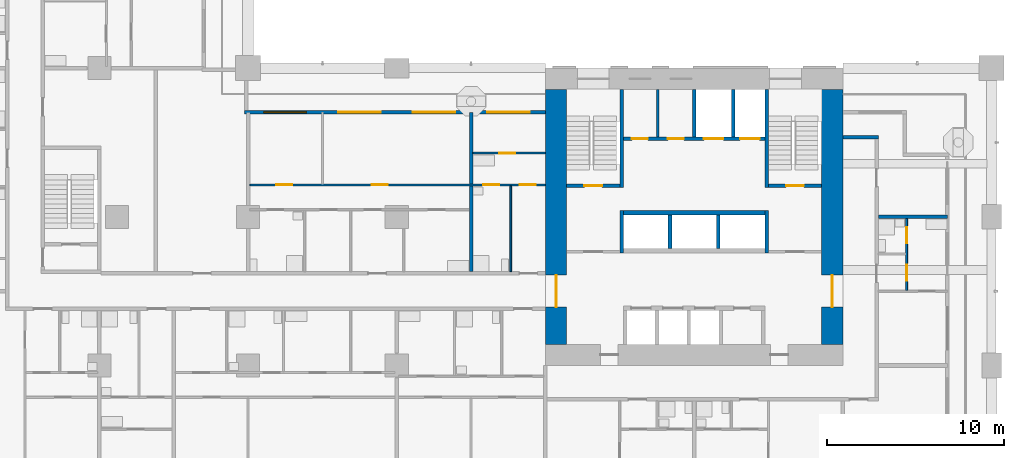
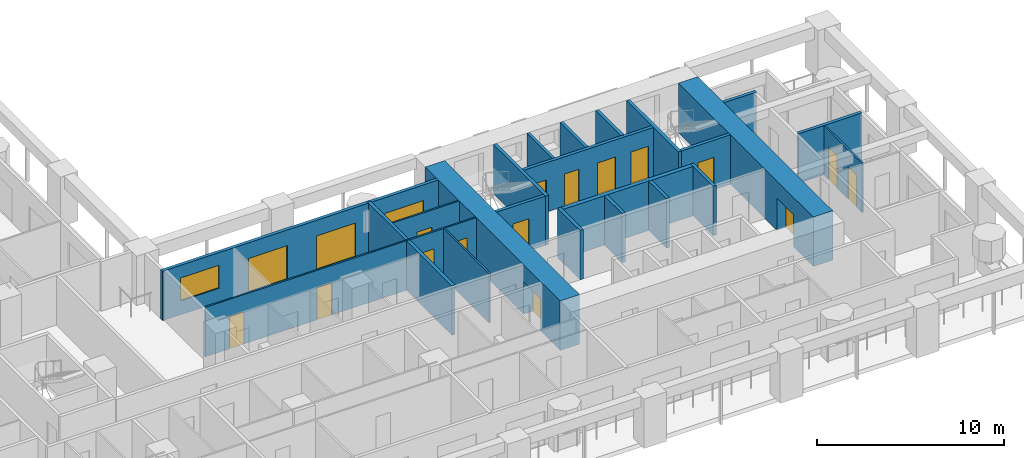
# One storey, part 7 of 21: 23 walls, 18 doors, 1 window, 19 openings.
"""IFC4 building model written with IfcOpenShell, lengths in metres."""

from ifc_helpers import new_model, si_unit, direction, frame, frame_2d, origin, place, context, subcontext, project, spatial, rectangle, extrude, material, layer, layer_set, type_object, element, fill, save


model = new_model("IFC4")

# Units and contexts
model_context = context("Model", 3, precision=1e-05, world=origin(), true_north=direction((0.0, 1.0)))
body_context = subcontext(model_context, "Body", "Model", "MODEL_VIEW")
ifc_project = project(units=[si_unit("LENGTHUNIT", "METRE"), si_unit("AREAUNIT", "SQUARE_METRE"), si_unit("VOLUMEUNIT", "CUBIC_METRE"), si_unit("PLANEANGLEUNIT", "RADIAN"), si_unit("MASSUNIT", "GRAM", prefix="KILO")], contexts=[model_context])

# Site, building, storey
site_placement = place(None, origin())
site = spatial("IfcSite", under=ifc_project, at=site_placement, CompositionType="ELEMENT")
building_placement = place(site_placement, origin())
building = spatial("IfcBuilding", under=site, at=building_placement, Name="Vermilion Gate Residences", CompositionType="ELEMENT")
storey_placement = place(building_placement, frame((0.0, 0.0, 67.199951171875)))
storey = spatial("IfcBuildingStorey", under=building, at=storey_placement, Name="L16", CompositionType="ELEMENT", Elevation=67.199951171875)

# Wall
ifc_material_1 = material(Name="Masonry blockwork", Category="masonry")
ifc_layer_1 = layer(ifc_material_1, 0.14990234375)
ifc_layer_set_1 = layer_set([ifc_layer_1], Name="BLOCKWORK PARTITION 150 EI 120")
wall_type_1 = type_object("IfcWallType", Name="BLOCKWORK PARTITION 150 EI 120", PredefinedType="PARTITIONING", material=ifc_layer_set_1)
wall_1_placement = place(storey_placement, frame((48.35009765625, 21.300048828125, 0.0), z_axis=(0.0, 0.0, 1.0), x_axis=(0.0, 1.0, 0.0)))
element("IfcWall", 1, at=wall_1_placement, inside=storey, type_object=wall_type_1, Name="Core room partition A16-NR-P0", PredefinedType="PARTITIONING", context=body_context, shape_type="SweptSolid", body=[
    extrude(rectangle(XDim=2.699951171875, YDim=0.14990234375, at=frame_2d((1.35009765625, 0.0))), origin(), (0.0, 0.0, 1.0), 3.219970703125),
])

# Wall, openings, doors, window
ifc_material_2 = material(Name="Insulated steel stud wall with terracotta rainscreen", Category="masonry")
ifc_layer_2 = layer(ifc_material_2, 0.199951171875)
ifc_layer_set_2 = layer_set([ifc_layer_2], Name="EXTERNAL WALL 200 TERRACOTTA RAINSCREEN")
wall_type_2 = type_object("IfcWallType", Name="EXTERNAL WALL 200 TERRACOTTA RAINSCREEN", PredefinedType="SOLIDWALL", material=ifc_layer_set_2)
wall_2_placement = place(storey_placement, frame((42.0, 22.699951171875, 0.0), z_axis=(0.0, 0.0, 1.0), x_axis=(-1.0, 0.0, 0.0)))
wall_2 = element("IfcWall", 2, at=wall_2_placement, inside=storey, type_object=wall_type_2, Name="External wall", PredefinedType="SOLIDWALL", context=body_context, shape_type="SweptSolid", body=[
    extrude(rectangle(XDim=17.0, YDim=0.199951171875, at=frame_2d((8.5, 0.0))), origin(), (0.0, 0.0, 1.0), 3.219970703125),
])
opening_1_placement = place(wall_2_placement, frame((13.5, 0.0, 0.89990234375)))
opening_1 = element("IfcOpeningElement", 3, at=opening_1_placement, cuts=wall_2, Name="Opening WE16033", PredefinedType="OPENING", context=body_context, shape_type="SweptSolid", body=[
    extrude(rectangle(XDim=2.39990234375, YDim=1.5, at=frame_2d((1.199951171875, 0.75))), frame((0.0, 0.10986328125, 0.0), z_axis=(0.0, -1.0, 0.0), x_axis=(1.0, 0.0, 0.0)), (0.0, 0.0, 1.0), 0.219970703125),
])
opening_2_placement = place(wall_2_placement, frame((9.300048828125, 0.0, 0.0)))
opening_2 = element("IfcOpeningElement", 4, at=opening_2_placement, cuts=wall_2, Name="Opening DE16034", PredefinedType="OPENING", context=body_context, shape_type="SweptSolid", body=[
    extrude(rectangle(XDim=2.39990234375, YDim=2.199951171875, at=frame_2d((1.199951171875, 1.10009765625))), frame((0.0, 0.10986328125, 0.0), z_axis=(0.0, -1.0, 0.0), x_axis=(1.0, 0.0, 0.0)), (0.0, 0.0, 1.0), 0.219970703125),
])
opening_3_placement = place(wall_2_placement, frame((5.10009765625, 0.0, 0.0)))
opening_3 = element("IfcOpeningElement", 5, at=opening_3_placement, cuts=wall_2, Name="Opening DE16035", PredefinedType="OPENING", context=body_context, shape_type="SweptSolid", body=[
    extrude(rectangle(XDim=2.39990234375, YDim=2.199951171875, at=frame_2d((1.199951171875, 1.10009765625))), frame((0.0, 0.10986328125, 0.0), z_axis=(0.0, -1.0, 0.0), x_axis=(1.0, 0.0, 0.0)), (0.0, 0.0, 1.0), 0.219970703125),
])
opening_4_placement = place(wall_2_placement, frame((0.89990234375, 0.0, 0.0)))
opening_4 = element("IfcOpeningElement", 6, at=opening_4_placement, cuts=wall_2, Name="Opening DE16036", PredefinedType="OPENING", context=body_context, shape_type="SweptSolid", body=[
    extrude(rectangle(XDim=2.39990234375, YDim=2.199951171875, at=frame_2d((1.199951171875, 1.10009765625))), frame((0.0, 0.10986328125, 0.0), z_axis=(0.0, -1.0, 0.0), x_axis=(1.0, 0.0, 0.0)), (0.0, 0.0, 1.0), 0.219970703125),
])
ifc_material_3 = material(Name="Aluminium and clear glass", Category="aluminium")
door_type_1 = type_object("IfcDoorType", Name="SLIDING GLAZED DOOR 2400 X 2200", OperationType="DOUBLE_DOOR_SLIDING", PredefinedType="DOOR", material=ifc_material_3)
door_1_placement = place(opening_2_placement, origin())
door_1 = element("IfcDoor", 7, at=door_1_placement, inside=storey, type_object=door_type_1, Name="Loggia sliding door", OperationType="DOUBLE_DOOR_SLIDING", OverallHeight=2.199951171875, OverallWidth=2.39990234375, PredefinedType="DOOR", context=body_context, shape_type="SweptSolid", body=[
    extrude(rectangle(XDim=2.39990234375, YDim=2.199951171875, at=frame_2d((1.199951171875, 1.10009765625))), frame((0.0, 0.02490234375, 0.0), z_axis=(0.0, -1.0, 0.0), x_axis=(1.0, 0.0, 0.0)), (0.0, 0.0, 1.0), 0.050048828125),
])
fill(opening_2, door_1)
door_2_placement = place(opening_3_placement, origin())
door_2 = element("IfcDoor", 8, at=door_2_placement, inside=storey, type_object=door_type_1, Name="Loggia sliding door", OperationType="DOUBLE_DOOR_SLIDING", OverallHeight=2.199951171875, OverallWidth=2.39990234375, PredefinedType="DOOR", context=body_context, shape_type="SweptSolid", body=[
    extrude(rectangle(XDim=2.39990234375, YDim=2.199951171875, at=frame_2d((1.199951171875, 1.10009765625))), frame((0.0, 0.02490234375, 0.0), z_axis=(0.0, -1.0, 0.0), x_axis=(1.0, 0.0, 0.0)), (0.0, 0.0, 1.0), 0.050048828125),
])
fill(opening_3, door_2)
door_3_placement = place(opening_4_placement, origin())
door_3 = element("IfcDoor", 9, at=door_3_placement, inside=storey, type_object=door_type_1, Name="Loggia sliding door", OperationType="DOUBLE_DOOR_SLIDING", OverallHeight=2.199951171875, OverallWidth=2.39990234375, PredefinedType="DOOR", context=body_context, shape_type="SweptSolid", body=[
    extrude(rectangle(XDim=2.39990234375, YDim=2.199951171875, at=frame_2d((1.199951171875, 1.10009765625))), frame((0.0, 0.02490234375, 0.0), z_axis=(0.0, -1.0, 0.0), x_axis=(1.0, 0.0, 0.0)), (0.0, 0.0, 1.0), 0.050048828125),
])
fill(opening_4, door_3)
ifc_material_4 = material(Name="Aluminium and clear glass", Category="aluminium")
window_type = type_object("IfcWindowType", Name="WINDOW 2400 X 1500", PartitioningType="SINGLE_PANEL", PredefinedType="WINDOW", material=ifc_material_4)
window_placement = place(opening_1_placement, origin())
window = element("IfcWindow", 10, at=window_placement, inside=storey, type_object=window_type, Name="Window", OverallHeight=1.5, OverallWidth=2.39990234375, PartitioningType="SINGLE_PANEL", PredefinedType="WINDOW", context=body_context, shape_type="SweptSolid", body=[
    extrude(rectangle(XDim=2.39990234375, YDim=1.5, at=frame_2d((1.199951171875, 0.75))), frame((0.0, 0.030029296875, 0.0), z_axis=(0.0, -1.0, 0.0), x_axis=(1.0, 0.0, 0.0)), (0.0, 0.0, 1.0), 0.06005859375),
])
fill(opening_1, window)

# Wall, openings, doors
ifc_material_5 = material(Name="Plasterboard on steel studs", Category="steel")
ifc_layer_3 = layer(ifc_material_5, 0.10009765625)
ifc_layer_set_3 = layer_set([ifc_layer_3], Name="PARTITION 100")
wall_type_3 = type_object("IfcWallType", Name="PARTITION 100", PredefinedType="PARTITIONING", material=ifc_layer_set_3)
wall_3_placement = place(storey_placement, frame((25.300048828125, 18.60009765625, 0.0), z_axis=(0.0, 0.0, 1.0), x_axis=(1.0, 0.0, 0.0)))
wall_3 = element("IfcWall", 11, at=wall_3_placement, inside=storey, type_object=wall_type_3, Name="Partition", PredefinedType="PARTITIONING", context=body_context, shape_type="SweptSolid", body=[
    extrude(rectangle(XDim=16.699951171875, YDim=0.10009765625, at=frame_2d((8.35009765625, 0.0))), origin(), (0.0, 0.0, 1.0), 3.219970703125),
])
opening_5_placement = place(wall_3_placement, frame((1.5, 0.0, 0.0)))
opening_5 = element("IfcOpeningElement", 12, at=opening_5_placement, cuts=wall_3, Name="Opening DA16037", PredefinedType="OPENING", context=body_context, shape_type="SweptSolid", body=[
    extrude(rectangle(XDim=0.89990234375, YDim=2.10009765625, at=frame_2d((0.449951171875, 1.050048828125))), frame((0.0, 0.06005859375, 0.0), z_axis=(0.0, -1.0, 0.0), x_axis=(1.0, 0.0, 0.0)), (0.0, 0.0, 1.0), 0.1201171875),
])
opening_6_placement = place(wall_3_placement, frame((6.89990234375, 0.0, 0.0)))
opening_6 = element("IfcOpeningElement", 13, at=opening_6_placement, cuts=wall_3, Name="Opening DA16038", PredefinedType="OPENING", context=body_context, shape_type="SweptSolid", body=[
    extrude(rectangle(XDim=0.89990234375, YDim=2.10009765625, at=frame_2d((0.449951171875, 1.050048828125))), frame((0.0, 0.06005859375, 0.0), z_axis=(0.0, -1.0, 0.0), x_axis=(1.0, 0.0, 0.0)), (0.0, 0.0, 1.0), 0.1201171875),
])
opening_7_placement = place(wall_3_placement, frame((15.239990234375, 0.0, 0.0)))
opening_7 = element("IfcOpeningElement", 14, at=opening_7_placement, cuts=wall_3, Name="Opening DA16039", PredefinedType="OPENING", context=body_context, shape_type="SweptSolid", body=[
    extrude(rectangle(XDim=0.89990234375, YDim=2.10009765625, at=frame_2d((0.449951171875, 1.050048828125))), frame((0.0, 0.06005859375, 0.0), z_axis=(0.0, -1.0, 0.0), x_axis=(1.0, 0.0, 0.0)), (0.0, 0.0, 1.0), 0.1201171875),
])
opening_8_placement = place(wall_3_placement, frame((13.199951171875, 0.0, 0.0)))
opening_8 = element("IfcOpeningElement", 15, at=opening_8_placement, cuts=wall_3, Name="Opening DA16040", PredefinedType="OPENING", context=body_context, shape_type="SweptSolid", body=[
    extrude(rectangle(XDim=0.89990234375, YDim=2.10009765625, at=frame_2d((0.449951171875, 1.050048828125))), frame((0.0, 0.06005859375, 0.0), z_axis=(0.0, -1.0, 0.0), x_axis=(1.0, 0.0, 0.0)), (0.0, 0.0, 1.0), 0.1201171875),
])
ifc_material_6 = material(Name="Timber", Category="wood")
door_type_2 = type_object("IfcDoorType", Name="INTERIOR DOOR 900 X 2100", OperationType="SINGLE_SWING_LEFT", PredefinedType="DOOR", material=ifc_material_6)
door_4_placement = place(opening_5_placement, origin())
door_4 = element("IfcDoor", 16, at=door_4_placement, inside=storey, type_object=door_type_2, Name="Interior door", OperationType="SINGLE_SWING_LEFT", OverallHeight=2.10009765625, OverallWidth=0.89990234375, PredefinedType="DOOR", context=body_context, shape_type="SweptSolid", body=[
    extrude(rectangle(XDim=0.89990234375, YDim=2.10009765625, at=frame_2d((0.449951171875, 1.050048828125))), frame((0.0, 0.02490234375, 0.0), z_axis=(0.0, -1.0, 0.0), x_axis=(1.0, 0.0, 0.0)), (0.0, 0.0, 1.0), 0.050048828125),
])
fill(opening_5, door_4)
door_5_placement = place(opening_6_placement, origin())
door_5 = element("IfcDoor", 17, at=door_5_placement, inside=storey, type_object=door_type_2, Name="Interior door", OperationType="SINGLE_SWING_LEFT", OverallHeight=2.10009765625, OverallWidth=0.89990234375, PredefinedType="DOOR", context=body_context, shape_type="SweptSolid", body=[
    extrude(rectangle(XDim=0.89990234375, YDim=2.10009765625, at=frame_2d((0.449951171875, 1.050048828125))), frame((0.0, 0.02490234375, 0.0), z_axis=(0.0, -1.0, 0.0), x_axis=(1.0, 0.0, 0.0)), (0.0, 0.0, 1.0), 0.050048828125),
])
fill(opening_6, door_5)
door_6_placement = place(opening_7_placement, origin())
door_6 = element("IfcDoor", 18, at=door_6_placement, inside=storey, type_object=door_type_2, Name="Interior door", OperationType="SINGLE_SWING_RIGHT", OverallHeight=2.10009765625, OverallWidth=0.89990234375, PredefinedType="DOOR", context=body_context, shape_type="SweptSolid", body=[
    extrude(rectangle(XDim=0.89990234375, YDim=2.10009765625, at=frame_2d((0.449951171875, 1.050048828125))), frame((0.0, 0.02490234375, 0.0), z_axis=(0.0, -1.0, 0.0), x_axis=(1.0, 0.0, 0.0)), (0.0, 0.0, 1.0), 0.050048828125),
])
fill(opening_7, door_6)
door_7_placement = place(opening_8_placement, origin())
door_7 = element("IfcDoor", 19, at=door_7_placement, inside=storey, type_object=door_type_2, Name="Interior door", OperationType="SINGLE_SWING_LEFT", OverallHeight=2.10009765625, OverallWidth=0.89990234375, PredefinedType="DOOR", context=body_context, shape_type="SweptSolid", body=[
    extrude(rectangle(XDim=0.89990234375, YDim=2.10009765625, at=frame_2d((0.449951171875, 1.050048828125))), frame((0.0, 0.02490234375, 0.0), z_axis=(0.0, -1.0, 0.0), x_axis=(1.0, 0.0, 0.0)), (0.0, 0.0, 1.0), 0.050048828125),
])
fill(opening_8, door_7)

# Wall, opening, door
wall_4_placement = place(storey_placement, frame((37.89990234375, 20.39990234375, 0.0), z_axis=(0.0, 0.0, 1.0), x_axis=(1.0, 0.0, 0.0)))
wall_4 = element("IfcWall", 20, at=wall_4_placement, inside=storey, type_object=wall_type_3, Name="Partition", PredefinedType="PARTITIONING", context=body_context, shape_type="SweptSolid", body=[
    extrude(rectangle(XDim=4.10009765625, YDim=0.10009765625, at=frame_2d((2.050048828125, 0.0))), origin(), (0.0, 0.0, 1.0), 3.219970703125),
])
opening_9_placement = place(wall_4_placement, frame((1.5, 0.0, 0.0)))
opening_9 = element("IfcOpeningElement", 21, at=opening_9_placement, cuts=wall_4, Name="Opening DA16041", PredefinedType="OPENING", context=body_context, shape_type="SweptSolid", body=[
    extrude(rectangle(XDim=0.89990234375, YDim=2.10009765625, at=frame_2d((0.449951171875, 1.050048828125))), frame((0.0, 0.06005859375, 0.0), z_axis=(0.0, -1.0, 0.0), x_axis=(1.0, 0.0, 0.0)), (0.0, 0.0, 1.0), 0.1201171875),
])
door_8_placement = place(opening_9_placement, frame((0.89990234375, 0.0, 0.0), z_axis=(0.0, 0.0, 1.0), x_axis=(-1.0, 0.0, 0.0)))
door_8 = element("IfcDoor", 22, at=door_8_placement, inside=storey, type_object=door_type_2, Name="Interior door", OperationType="SINGLE_SWING_RIGHT", OverallHeight=2.10009765625, OverallWidth=0.89990234375, PredefinedType="DOOR", context=body_context, shape_type="SweptSolid", body=[
    extrude(rectangle(XDim=0.89990234375, YDim=2.10009765625, at=frame_2d((0.449951171875, 1.050048828125))), frame((0.0, 0.02490234375, 0.0), z_axis=(0.0, -1.0, 0.0), x_axis=(1.0, 0.0, 0.0)), (0.0, 0.0, 1.0), 0.050048828125),
])
fill(opening_9, door_8)

# Wall
wall_5_placement = place(storey_placement, frame((40.0400390625, 13.699951171875, 0.0), z_axis=(0.0, 0.0, 1.0), x_axis=(0.0, 1.0, 0.0)))
element("IfcWall", 23, at=wall_5_placement, inside=storey, type_object=wall_type_3, Name="Partition", PredefinedType="PARTITIONING", context=body_context, shape_type="SweptSolid", body=[
    extrude(rectangle(XDim=4.85009765625, YDim=0.10009765625, at=frame_2d((2.425048828125, 0.0))), origin(), (0.0, 0.0, 1.0), 3.219970703125),
])

# Wall, openings, doors
wall_6_placement = place(storey_placement, frame((62.39990234375, 12.64990234375, 0.0), z_axis=(0.0, 0.0, 1.0), x_axis=(0.0, 1.0, 0.0)))
wall_6 = element("IfcWall", 24, at=wall_6_placement, inside=storey, type_object=wall_type_3, Name="Partition", PredefinedType="PARTITIONING", context=body_context, shape_type="SweptSolid", body=[
    extrude(rectangle(XDim=4.050048828125, YDim=0.10009765625, at=frame_2d((2.02490234375, 0.0))), origin(), (0.0, 0.0, 1.0), 3.219970703125),
])
opening_10_placement = place(wall_6_placement, frame((0.550048828125, 0.0, 0.0)))
opening_10 = element("IfcOpeningElement", 25, at=opening_10_placement, cuts=wall_6, Name="Opening DA16085", PredefinedType="OPENING", context=body_context, shape_type="SweptSolid", body=[
    extrude(rectangle(XDim=0.89990234375, YDim=2.10009765625, at=frame_2d((0.449951171875, 1.050048828125))), frame((0.0, 0.06005859375, 0.0), z_axis=(0.0, -1.0, 0.0), x_axis=(1.0, 0.0, 0.0)), (0.0, 0.0, 1.0), 0.1201171875),
])
opening_11_placement = place(wall_6_placement, frame((2.64990234375, 0.0, 0.0)))
opening_11 = element("IfcOpeningElement", 26, at=opening_11_placement, cuts=wall_6, Name="Opening DA16086", PredefinedType="OPENING", context=body_context, shape_type="SweptSolid", body=[
    extrude(rectangle(XDim=0.89990234375, YDim=2.10009765625, at=frame_2d((0.449951171875, 1.050048828125))), frame((0.0, 0.06005859375, 0.0), z_axis=(0.0, -1.0, 0.0), x_axis=(1.0, 0.0, 0.0)), (0.0, 0.0, 1.0), 0.1201171875),
])
door_9_placement = place(opening_10_placement, frame((0.89990234375, 0.0, 0.0), z_axis=(0.0, 0.0, 1.0), x_axis=(-1.0, 0.0, 0.0)))
door_9 = element("IfcDoor", 27, at=door_9_placement, inside=storey, type_object=door_type_2, Name="Interior door", OperationType="SINGLE_SWING_RIGHT", OverallHeight=2.10009765625, OverallWidth=0.89990234375, PredefinedType="DOOR", context=body_context, shape_type="SweptSolid", body=[
    extrude(rectangle(XDim=0.89990234375, YDim=2.10009765625, at=frame_2d((0.449951171875, 1.050048828125))), frame((0.0, 0.02490234375, 0.0), z_axis=(0.0, -1.0, 0.0), x_axis=(1.0, 0.0, 0.0)), (0.0, 0.0, 1.0), 0.050048828125),
])
fill(opening_10, door_9)
door_10_placement = place(opening_11_placement, origin())
door_10 = element("IfcDoor", 28, at=door_10_placement, inside=storey, type_object=door_type_2, Name="Interior door", OperationType="SINGLE_SWING_RIGHT", OverallHeight=2.10009765625, OverallWidth=0.89990234375, PredefinedType="DOOR", context=body_context, shape_type="SweptSolid", body=[
    extrude(rectangle(XDim=0.89990234375, YDim=2.10009765625, at=frame_2d((0.449951171875, 1.050048828125))), frame((0.0, 0.02490234375, 0.0), z_axis=(0.0, -1.0, 0.0), x_axis=(1.0, 0.0, 0.0)), (0.0, 0.0, 1.0), 0.050048828125),
])
fill(opening_11, door_10)

# Walls
ifc_material_7 = material(Name="Fire-rated plasterboard on steel studs", Category="steel")
ifc_layer_4 = layer(ifc_material_7, 0.199951171875)
ifc_layer_set_4 = layer_set([ifc_layer_4], Name="PARTY WALL 200 EI 120")
wall_type_4 = type_object("IfcWallType", Name="PARTY WALL 200 EI 120", PredefinedType="PARTITIONING", material=ifc_layer_set_4)
wall_7_placement = place(storey_placement, frame((60.800048828125, 16.800048828125, 0.0), z_axis=(0.0, 0.0, 1.0), x_axis=(1.0, 0.0, 0.0)))
element("IfcWall", 29, at=wall_7_placement, inside=storey, type_object=wall_type_4, Name="Party and corridor wall", PredefinedType="PARTITIONING", context=body_context, shape_type="SweptSolid", body=[
    extrude(rectangle(XDim=3.89990234375, YDim=0.199951171875, at=frame_2d((1.949951171875, 0.0))), origin(), (0.0, 0.0, 1.0), 3.219970703125),
])
wall_8_placement = place(storey_placement, frame((58.800048828125, 21.300048828125, 0.0), z_axis=(0.0, 0.0, 1.0), x_axis=(1.0, 0.0, 0.0)))
element("IfcWall", 30, at=wall_8_placement, inside=storey, type_object=wall_type_4, Name="Party and corridor wall", PredefinedType="PARTITIONING", context=body_context, shape_type="SweptSolid", body=[
    extrude(rectangle(XDim=2.0, YDim=0.199951171875, at=frame_2d((1.0, 0.0))), origin(), (0.0, 0.0, 1.0), 3.219970703125),
])
wall_9_placement = place(storey_placement, frame((37.800048828125, 13.699951171875, 0.0), z_axis=(0.0, 0.0, 1.0), x_axis=(0.0, 1.0, 0.0)))
element("IfcWall", 31, at=wall_9_placement, inside=storey, type_object=wall_type_4, Name="Party and corridor wall", PredefinedType="PARTITIONING", context=body_context, shape_type="SweptSolid", body=[
    extrude(rectangle(XDim=9.0, YDim=0.199951171875, at=frame_2d((4.5, 0.0))), origin(), (0.0, 0.0, 1.0), 3.219970703125),
])
ifc_material_8 = material(Name="Concrete C60", Category="concrete")
ifc_layer_5 = layer(ifc_material_8, 0.199951171875)
ifc_layer_set_5 = layer_set([ifc_layer_5], Name="RC CORE INTERNAL WALL 200 C60")
wall_type_5 = type_object("IfcWallType", Name="RC CORE INTERNAL WALL 200 C60", PredefinedType="SHEAR", material=ifc_layer_set_5)
for number, where, z_axis, x_axis, name in (
    (32, (49.033447265625, 15.0, 0.0), (0.0, 0.0, 1.0), (0.0, 1.0, 0.0), "Core internal wall A16-HR-D1"),
    (33, (51.7666015625, 15.0, 0.0), (0.0, 0.0, 1.0), (0.0, 1.0, 0.0), "Core internal wall A16-HR-D2"),
):
    element("IfcWall", number, at=place(storey_placement, frame(where, z_axis=z_axis, x_axis=x_axis)), inside=storey, type_object=wall_type_5, Name=name, PredefinedType="SHEAR", context=body_context, shape_type="SweptSolid", body=[
        extrude(rectangle(XDim=1.89990234375, YDim=0.199951171875, at=frame_2d((0.949951171875, 0.0))), origin(), (0.0, 0.0, 1.0), 3.219970703125),
    ])
for number, where, z_axis, x_axis, name in (
    (34, (50.39990234375, 21.300048828125, 0.0), (0.0, 0.0, 1.0), (0.0, 1.0, 0.0), "Core internal wall A16-FF-D0"),
    (35, (52.60009765625, 21.300048828125, 0.0), (0.0, 0.0, 1.0), (0.0, 1.0, 0.0), "Core internal wall A16-FF-D1"),
):
    element("IfcWall", number, at=place(storey_placement, frame(where, z_axis=z_axis, x_axis=x_axis)), inside=storey, type_object=wall_type_5, Name=name, PredefinedType="SHEAR", context=body_context, shape_type="SweptSolid", body=[
        extrude(rectangle(XDim=2.699951171875, YDim=0.199951171875, at=frame_2d((1.35009765625, 0.0))), origin(), (0.0, 0.0, 1.0), 3.219970703125),
    ])

# Wall, openings, doors
wall_10_placement = place(storey_placement, frame((46.39990234375, 21.199951171875, 0.0), z_axis=(0.0, 0.0, 1.0), x_axis=(1.0, 0.0, 0.0)))
wall_10 = element("IfcWall", 36, at=wall_10_placement, inside=storey, type_object=wall_type_5, Name="Core internal wall A16-FF-F", PredefinedType="SHEAR", context=body_context, shape_type="SweptSolid", body=[
    extrude(rectangle(XDim=8.0, YDim=0.199951171875, at=frame_2d((4.0, 0.0))), origin(), (0.0, 0.0, 1.0), 3.219970703125),
])
opening_12_placement = place(wall_10_placement, frame((0.487548828125, 0.0, 0.0)))
opening_12 = element("IfcOpeningElement", 37, at=opening_12_placement, cuts=wall_10, Name="Opening DK16009", PredefinedType="OPENING", context=body_context, shape_type="SweptSolid", body=[
    extrude(rectangle(XDim=0.89990234375, YDim=2.10009765625, at=frame_2d((0.449951171875, 1.050048828125))), frame((0.0, 0.10986328125, 0.0), z_axis=(0.0, -1.0, 0.0), x_axis=(1.0, 0.0, 0.0)), (0.0, 0.0, 1.0), 0.219970703125),
])
opening_13_placement = place(wall_10_placement, frame((2.512451171875, 0.0, 0.0)))
opening_13 = element("IfcOpeningElement", 38, at=opening_13_placement, cuts=wall_10, Name="Opening DK16010", PredefinedType="OPENING", context=body_context, shape_type="SweptSolid", body=[
    extrude(rectangle(XDim=0.89990234375, YDim=2.10009765625, at=frame_2d((0.449951171875, 1.050048828125))), frame((0.0, 0.10986328125, 0.0), z_axis=(0.0, -1.0, 0.0), x_axis=(1.0, 0.0, 0.0)), (0.0, 0.0, 1.0), 0.219970703125),
])
opening_14_placement = place(wall_10_placement, frame((4.550048828125, 0.0, 0.0)))
opening_14 = element("IfcOpeningElement", 39, at=opening_14_placement, cuts=wall_10, Name="Opening LD", PredefinedType="OPENING", context=body_context, shape_type="SweptSolid", body=[
    extrude(rectangle(XDim=1.10009765625, YDim=2.10009765625, at=frame_2d((0.550048828125, 1.050048828125))), frame((0.0, 0.10986328125, 0.0), z_axis=(0.0, -1.0, 0.0), x_axis=(1.0, 0.0, 0.0)), (0.0, 0.0, 1.0), 0.219970703125),
])
opening_15_placement = place(wall_10_placement, frame((6.60009765625, 0.0, 0.0)))
opening_15 = element("IfcOpeningElement", 40, at=opening_15_placement, cuts=wall_10, Name="Opening LD", PredefinedType="OPENING", context=body_context, shape_type="SweptSolid", body=[
    extrude(rectangle(XDim=1.10009765625, YDim=2.10009765625, at=frame_2d((0.550048828125, 1.050048828125))), frame((0.0, 0.10986328125, 0.0), z_axis=(0.0, -1.0, 0.0), x_axis=(1.0, 0.0, 0.0)), (0.0, 0.0, 1.0), 0.219970703125),
])
ifc_material_9 = material(Name="Stainless steel", Category="steel")
door_type_3 = type_object("IfcDoorType", Name="LIFT LANDING DOOR E60 1100 X 2100", OperationType="DOUBLE_DOOR_SLIDING", PredefinedType="DOOR", material=ifc_material_9)
door_11_placement = place(opening_14_placement, origin())
door_11 = element("IfcDoor", 41, at=door_11_placement, inside=storey, type_object=door_type_3, Name="Lift landing door LFA1", OperationType="DOUBLE_DOOR_SLIDING", OverallHeight=2.10009765625, OverallWidth=1.10009765625, PredefinedType="DOOR", context=body_context, shape_type="SweptSolid", body=[
    extrude(rectangle(XDim=1.10009765625, YDim=2.10009765625, at=frame_2d((0.550048828125, 1.050048828125))), frame((0.0, 0.02490234375, 0.0), z_axis=(0.0, -1.0, 0.0), x_axis=(1.0, 0.0, 0.0)), (0.0, 0.0, 1.0), 0.050048828125),
])
fill(opening_14, door_11)
door_12_placement = place(opening_15_placement, origin())
door_12 = element("IfcDoor", 42, at=door_12_placement, inside=storey, type_object=door_type_3, Name="Lift landing door LCA1", OperationType="DOUBLE_DOOR_SLIDING", OverallHeight=2.10009765625, OverallWidth=1.10009765625, PredefinedType="DOOR", context=body_context, shape_type="SweptSolid", body=[
    extrude(rectangle(XDim=1.10009765625, YDim=2.10009765625, at=frame_2d((0.550048828125, 1.050048828125))), frame((0.0, 0.02490234375, 0.0), z_axis=(0.0, -1.0, 0.0), x_axis=(1.0, 0.0, 0.0)), (0.0, 0.0, 1.0), 0.050048828125),
])
fill(opening_15, door_12)
ifc_material_10 = material(Name="Steel", Category="steel")
door_type_4 = type_object("IfcDoorType", Name="SERVICE ROOM DOOR FD60 900 X 2100", OperationType="SINGLE_SWING_LEFT", PredefinedType="DOOR", material=ifc_material_10)
door_13_placement = place(opening_12_placement, origin())
door_13 = element("IfcDoor", 43, at=door_13_placement, inside=storey, type_object=door_type_4, Name="Electrical riser A16", OperationType="SINGLE_SWING_LEFT", OverallHeight=2.10009765625, OverallWidth=0.89990234375, PredefinedType="DOOR", context=body_context, shape_type="SweptSolid", body=[
    extrude(rectangle(XDim=0.89990234375, YDim=2.10009765625, at=frame_2d((0.449951171875, 1.050048828125))), frame((0.0, 0.02490234375, 0.0), z_axis=(0.0, -1.0, 0.0), x_axis=(1.0, 0.0, 0.0)), (0.0, 0.0, 1.0), 0.050048828125),
])
fill(opening_12, door_13)
door_14_placement = place(opening_13_placement, origin())
door_14 = element("IfcDoor", 44, at=door_14_placement, inside=storey, type_object=door_type_4, Name="Cleaner's store A16", OperationType="SINGLE_SWING_LEFT", OverallHeight=2.10009765625, OverallWidth=0.89990234375, PredefinedType="DOOR", context=body_context, shape_type="SweptSolid", body=[
    extrude(rectangle(XDim=0.89990234375, YDim=2.10009765625, at=frame_2d((0.449951171875, 1.050048828125))), frame((0.0, 0.02490234375, 0.0), z_axis=(0.0, -1.0, 0.0), x_axis=(1.0, 0.0, 0.0)), (0.0, 0.0, 1.0), 0.050048828125),
])
fill(opening_13, door_14)

# Walls
wall_11_placement = place(storey_placement, frame((46.300048828125, 14.75, 0.0), z_axis=(0.0, 0.0, 1.0), x_axis=(0.0, 1.0, 0.0)))
element("IfcWall", 45, at=wall_11_placement, inside=storey, type_object=wall_type_5, Name="Core internal wall A16-WDIV1", PredefinedType="SHEAR", context=body_context, shape_type="SweptSolid", body=[
    extrude(rectangle(XDim=2.39990234375, YDim=0.199951171875, at=frame_2d((1.199951171875, 0.0))), origin(), (0.0, 0.0, 1.0), 3.219970703125),
])
wall_12_placement = place(storey_placement, frame((46.300048828125, 18.449951171875, 0.0), z_axis=(0.0, 0.0, 1.0), x_axis=(0.0, 1.0, 0.0)))
element("IfcWall", 46, at=wall_12_placement, inside=storey, type_object=wall_type_5, Name="Core internal wall A16-WDIV2", PredefinedType="SHEAR", context=body_context, shape_type="SweptSolid", body=[
    extrude(rectangle(XDim=5.550048828125, YDim=0.199951171875, at=frame_2d((2.77490234375, 0.0))), origin(), (0.0, 0.0, 1.0), 3.219970703125),
])

# Wall, opening, door
wall_13_placement = place(storey_placement, frame((43.199951171875, 18.550048828125, 0.0), z_axis=(0.0, 0.0, 1.0), x_axis=(1.0, 0.0, 0.0)))
wall_13 = element("IfcWall", 47, at=wall_13_placement, inside=storey, type_object=wall_type_5, Name="Core internal wall A16-STW-S", PredefinedType="SHEAR", context=body_context, shape_type="SweptSolid", body=[
    extrude(rectangle(XDim=3.0, YDim=0.199951171875, at=frame_2d((1.5, 0.0))), origin(), (0.0, 0.0, 1.0), 3.219970703125),
])
opening_16_placement = place(wall_13_placement, frame((1.0, 0.0, 0.0)))
opening_16 = element("IfcOpeningElement", 48, at=opening_16_placement, cuts=wall_13, Name="Opening DK16014", PredefinedType="OPENING", context=body_context, shape_type="SweptSolid", body=[
    extrude(rectangle(XDim=1.0, YDim=2.10009765625, at=frame_2d((0.5, 1.050048828125))), frame((0.0, 0.10986328125, 0.0), z_axis=(0.0, -1.0, 0.0), x_axis=(1.0, 0.0, 0.0)), (0.0, 0.0, 1.0), 0.219970703125),
])
ifc_material_11 = material(Name="Steel", Category="steel")
door_type_5 = type_object("IfcDoorType", Name="FIRE DOOR FD60 1000 X 2100", OperationType="SINGLE_SWING_LEFT", PredefinedType="DOOR", material=ifc_material_11)
door_15_placement = place(opening_16_placement, origin())
door_15 = element("IfcDoor", 49, at=door_15_placement, inside=storey, type_object=door_type_5, Name="Stair door A16", OperationType="SINGLE_SWING_LEFT", OverallHeight=2.10009765625, OverallWidth=1.0, PredefinedType="DOOR", context=body_context, shape_type="SweptSolid", body=[
    extrude(rectangle(XDim=1.0, YDim=2.10009765625, at=frame_2d((0.5, 1.050048828125))), frame((0.0, 0.02490234375, 0.0), z_axis=(0.0, -1.0, 0.0), x_axis=(1.0, 0.0, 0.0)), (0.0, 0.0, 1.0), 0.050048828125),
])
fill(opening_16, door_15)

# Walls
wall_14_placement = place(storey_placement, frame((54.5, 14.75, 0.0), z_axis=(0.0, 0.0, 1.0), x_axis=(0.0, 1.0, 0.0)))
element("IfcWall", 50, at=wall_14_placement, inside=storey, type_object=wall_type_5, Name="Core internal wall A16-EDIV1", PredefinedType="SHEAR", context=body_context, shape_type="SweptSolid", body=[
    extrude(rectangle(XDim=2.39990234375, YDim=0.199951171875, at=frame_2d((1.199951171875, 0.0))), origin(), (0.0, 0.0, 1.0), 3.219970703125),
])
wall_15_placement = place(storey_placement, frame((54.5, 18.449951171875, 0.0), z_axis=(0.0, 0.0, 1.0), x_axis=(0.0, 1.0, 0.0)))
element("IfcWall", 51, at=wall_15_placement, inside=storey, type_object=wall_type_5, Name="Core internal wall A16-EDIV2", PredefinedType="SHEAR", context=body_context, shape_type="SweptSolid", body=[
    extrude(rectangle(XDim=5.550048828125, YDim=0.199951171875, at=frame_2d((2.77490234375, 0.0))), origin(), (0.0, 0.0, 1.0), 3.219970703125),
])

# Wall, opening, door
wall_16_placement = place(storey_placement, frame((54.60009765625, 18.550048828125, 0.0), z_axis=(0.0, 0.0, 1.0), x_axis=(1.0, 0.0, 0.0)))
wall_16 = element("IfcWall", 52, at=wall_16_placement, inside=storey, type_object=wall_type_5, Name="Core internal wall A16-STE-S", PredefinedType="SHEAR", context=body_context, shape_type="SweptSolid", body=[
    extrude(rectangle(XDim=3.0, YDim=0.199951171875, at=frame_2d((1.5, 0.0))), origin(), (0.0, 0.0, 1.0), 3.219970703125),
])
opening_17_placement = place(wall_16_placement, frame((1.0, 0.0, 0.0)))
opening_17 = element("IfcOpeningElement", 53, at=opening_17_placement, cuts=wall_16, Name="Opening DK16016", PredefinedType="OPENING", context=body_context, shape_type="SweptSolid", body=[
    extrude(rectangle(XDim=1.0, YDim=2.10009765625, at=frame_2d((0.5, 1.050048828125))), frame((0.0, 0.10986328125, 0.0), z_axis=(0.0, -1.0, 0.0), x_axis=(1.0, 0.0, 0.0)), (0.0, 0.0, 1.0), 0.219970703125),
])
door_16_placement = place(opening_17_placement, origin())
door_16 = element("IfcDoor", 54, at=door_16_placement, inside=storey, type_object=door_type_5, Name="Stair door A16", OperationType="SINGLE_SWING_LEFT", OverallHeight=2.10009765625, OverallWidth=1.0, PredefinedType="DOOR", context=body_context, shape_type="SweptSolid", body=[
    extrude(rectangle(XDim=1.0, YDim=2.10009765625, at=frame_2d((0.5, 1.050048828125))), frame((0.0, 0.02490234375, 0.0), z_axis=(0.0, -1.0, 0.0), x_axis=(1.0, 0.0, 0.0)), (0.0, 0.0, 1.0), 0.050048828125),
])
fill(opening_17, door_16)

ifc_material_12 = material(Name="Concrete C80", Category="concrete")
ifc_layer_6 = layer(ifc_material_12, 1.199951171875)
ifc_layer_set_6 = layer_set([ifc_layer_6], Name="RC CORE WALL 1200 C80")
wall_type_6 = type_object("IfcWallType", Name="RC CORE WALL 1200 C80", PredefinedType="SHEAR", material=ifc_layer_set_6)
wall_17_placement = place(storey_placement, frame((42.60009765625, 9.60009765625, 0.0), z_axis=(0.0, 0.0, 1.0), x_axis=(0.0, 1.0, 0.0)))
wall_17 = element("IfcWall", 55, at=wall_17_placement, inside=storey, type_object=wall_type_6, Name="Core wall A16-OUT-FR", PredefinedType="SHEAR", context=body_context, shape_type="SweptSolid", body=[
    extrude(rectangle(XDim=14.39990234375, YDim=1.199951171875, at=frame_2d((7.199951171875, 0.0))), origin(), (0.0, 0.0, 1.0), 3.219970703125),
])
opening_18_placement = place(wall_17_placement, frame((2.10009765625, 0.0, 0.0)))
opening_18 = element("IfcOpeningElement", 56, at=opening_18_placement, cuts=wall_17, Name="Opening DK16003", PredefinedType="OPENING", context=body_context, shape_type="SweptSolid", body=[
    extrude(rectangle(XDim=1.800048828125, YDim=2.10009765625, at=frame_2d((0.89990234375, 1.050048828125))), frame((0.0, 0.60986328125, 0.0), z_axis=(0.0, -1.0, 0.0), x_axis=(1.0, 0.0, 0.0)), (0.0, 0.0, 1.0), 1.219970703125),
])
ifc_material_13 = material(Name="Steel", Category="steel")
door_type_6 = type_object("IfcDoorType", Name="CORE LOBBY DOOR FD60 1800 X 2100", OperationType="DOUBLE_DOOR_SINGLE_SWING", PredefinedType="DOOR", material=ifc_material_13)
door_17_placement = place(opening_18_placement, frame((1.800048828125, 0.0, 0.0), z_axis=(0.0, 0.0, 1.0), x_axis=(-1.0, 0.0, 0.0)))
door_17 = element("IfcDoor", 57, at=door_17_placement, inside=storey, type_object=door_type_6, Name="Core lobby door A16", OperationType="DOUBLE_DOOR_SINGLE_SWING", OverallHeight=2.10009765625, OverallWidth=1.800048828125, PredefinedType="DOOR", context=body_context, shape_type="SweptSolid", body=[
    extrude(rectangle(XDim=1.800048828125, YDim=2.10009765625, at=frame_2d((0.89990234375, 1.050048828125))), frame((0.0, 0.02490234375, 0.0), z_axis=(0.0, -1.0, 0.0), x_axis=(1.0, 0.0, 0.0)), (0.0, 0.0, 1.0), 0.050048828125),
])
fill(opening_18, door_17)

wall_18_placement = place(storey_placement, frame((58.199951171875, 9.60009765625, 0.0), z_axis=(0.0, 0.0, 1.0), x_axis=(0.0, 1.0, 0.0)))
wall_18 = element("IfcWall", 58, at=wall_18_placement, inside=storey, type_object=wall_type_6, Name="Core wall A16-OUT-BK", PredefinedType="SHEAR", context=body_context, shape_type="SweptSolid", body=[
    extrude(rectangle(XDim=14.39990234375, YDim=1.199951171875, at=frame_2d((7.199951171875, 0.0))), origin(), (0.0, 0.0, 1.0), 3.219970703125),
])
opening_19_placement = place(wall_18_placement, frame((2.10009765625, 0.0, 0.0)))
opening_19 = element("IfcOpeningElement", 59, at=opening_19_placement, cuts=wall_18, Name="Opening DK16004", PredefinedType="OPENING", context=body_context, shape_type="SweptSolid", body=[
    extrude(rectangle(XDim=1.800048828125, YDim=2.10009765625, at=frame_2d((0.89990234375, 1.050048828125))), frame((0.0, 0.60986328125, 0.0), z_axis=(0.0, -1.0, 0.0), x_axis=(1.0, 0.0, 0.0)), (0.0, 0.0, 1.0), 1.219970703125),
])
door_18_placement = place(opening_19_placement, origin())
door_18 = element("IfcDoor", 60, at=door_18_placement, inside=storey, type_object=door_type_6, Name="Core lobby door A16", OperationType="DOUBLE_DOOR_SINGLE_SWING", OverallHeight=2.10009765625, OverallWidth=1.800048828125, PredefinedType="DOOR", context=body_context, shape_type="SweptSolid", body=[
    extrude(rectangle(XDim=1.800048828125, YDim=2.10009765625, at=frame_2d((0.89990234375, 1.050048828125))), frame((0.0, 0.02490234375, 0.0), z_axis=(0.0, -1.0, 0.0), x_axis=(1.0, 0.0, 0.0)), (0.0, 0.0, 1.0), 0.050048828125),
])
fill(opening_19, door_18)

# Wall
ifc_material_14 = material(Name="Concrete C60", Category="concrete")
ifc_layer_7 = layer(ifc_material_14, 0.25)
ifc_layer_set_7 = layer_set([ifc_layer_7], Name="RC LIFT SHAFT WALL 250 C60")
wall_type_7 = type_object("IfcWallType", Name="RC LIFT SHAFT WALL 250 C60", PredefinedType="SHEAR", material=ifc_layer_set_7)
wall_19_placement = place(storey_placement, frame((46.39990234375, 17.02490234375, 0.0), z_axis=(0.0, 0.0, 1.0), x_axis=(1.0, 0.0, 0.0)))
element("IfcWall", 61, at=wall_19_placement, inside=storey, type_object=wall_type_7, Name="Lift shaft wall A16-HR-B", PredefinedType="SHEAR", context=body_context, shape_type="SweptSolid", body=[
    extrude(rectangle(XDim=8.0, YDim=0.25, at=frame_2d((4.0, 0.0))), origin(), (0.0, 0.0, 1.0), 3.219970703125),
])

save(model, "model.ifc")
